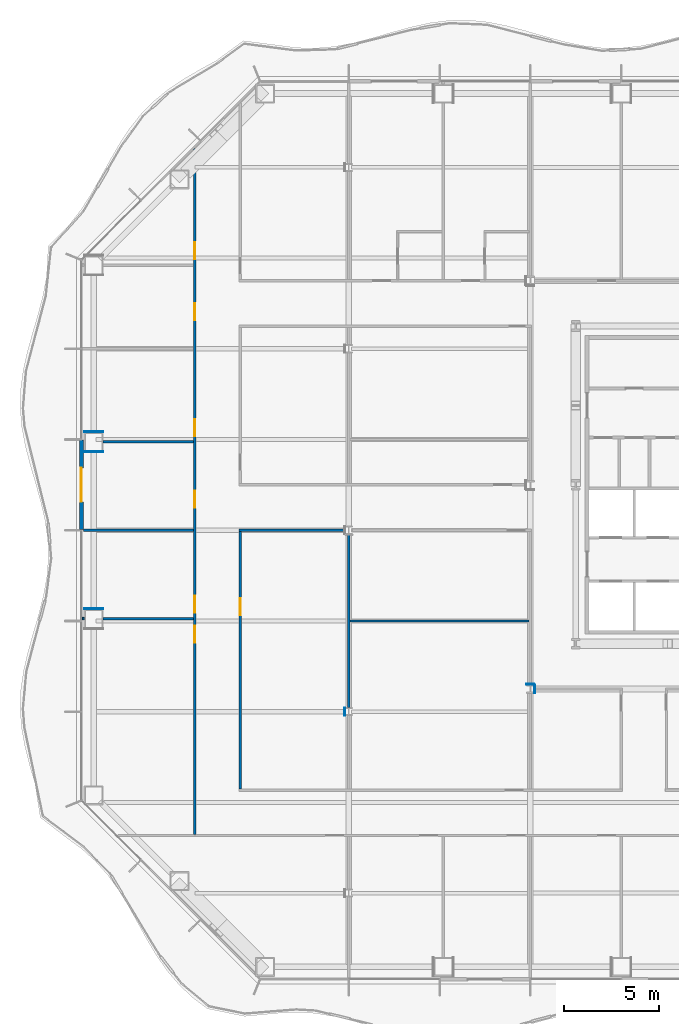
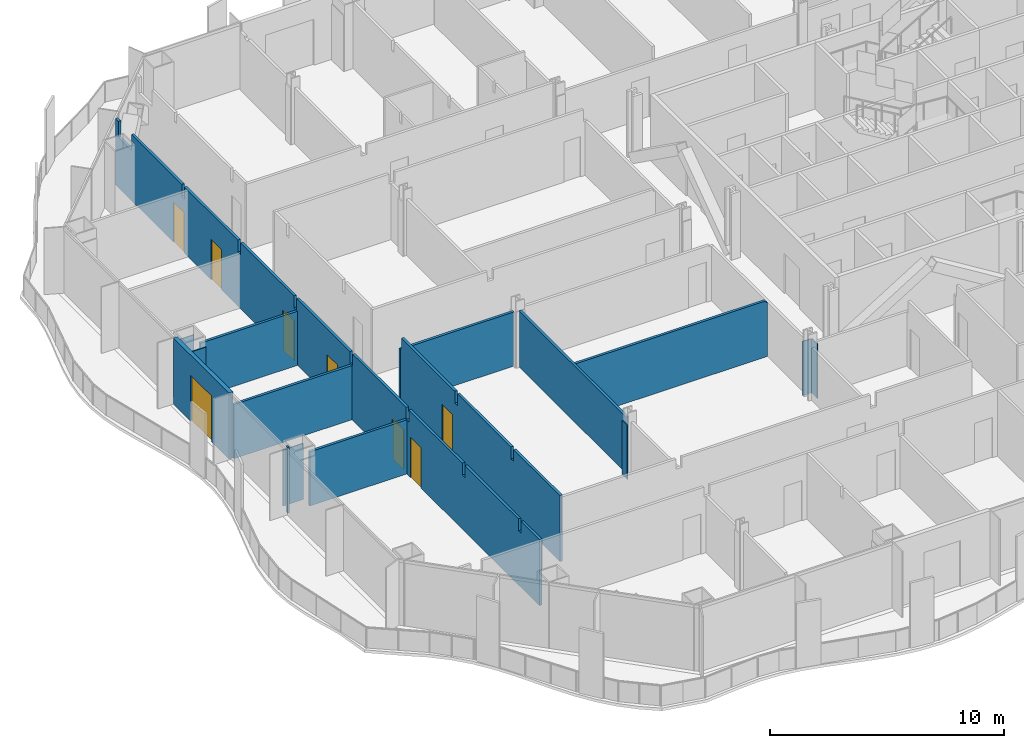
# One storey, part 7 of 20: 16 walls, 8 doors, 8 openings.
"""IFC4 building model written with IfcOpenShell, lengths in metres."""

from ifc_helpers import new_model, si_unit, direction, frame, frame_2d, origin, place, context, subcontext, project, spatial, polyline, rectangle, outline, extrude, material, layer, layer_set, type_object, element, fill, save


model = new_model("IFC4")

# Units and contexts
model_context = context("Model", 3, precision=1e-05, world=origin(), true_north=direction((0.0, 1.0)))
body_context = subcontext(model_context, "Body", "Model", "MODEL_VIEW")
ifc_project = project(units=[si_unit("LENGTHUNIT", "METRE"), si_unit("AREAUNIT", "SQUARE_METRE"), si_unit("VOLUMEUNIT", "CUBIC_METRE"), si_unit("PLANEANGLEUNIT", "RADIAN"), si_unit("MASSUNIT", "GRAM", prefix="KILO")], contexts=[model_context])

# Site, building, storey
site_placement = place(None, origin())
site = spatial("IfcSite", under=ifc_project, at=site_placement, CompositionType="ELEMENT")
building_placement = place(site_placement, origin())
building = spatial("IfcBuilding", under=site, at=building_placement, Name="Cairn Pilgrim Tower", CompositionType="ELEMENT")
storey_placement = place(building_placement, frame((0.0, 0.0, 61.800048828125)))
storey = spatial("IfcBuildingStorey", under=building, at=storey_placement, Name="L13", CompositionType="ELEMENT", Elevation=61.800048828125)

# Wall, opening, door
ifc_material_1 = material(Name="Bronze anodised aluminium insulated sandwich panel with mineral wool fill", Category="aluminium")
ifc_layer_1 = layer(ifc_material_1, 0.199951171875)
ifc_layer_set_1 = layer_set([ifc_layer_1], Name="BRONZE INFILL FRAME WALL 200")
wall_type_1 = type_object("IfcWallType", Name="BRONZE INFILL FRAME WALL 200", PredefinedType="NOTDEFINED", material=ifc_layer_set_1)
wall_1_placement = place(storey_placement, frame((-28.550048828125, 4.77001953125, 0.0), z_axis=(0.0, 0.0, 1.0), x_axis=(0.0, -1.0, 0.0)))
wall_1 = element("IfcWall", 1, at=wall_1_placement, inside=storey, type_object=wall_type_1, Name="Bronze infill frame wall IW-W3", PredefinedType="NOTDEFINED", context=body_context, shape_type="SweptSolid", body=[
    extrude(rectangle(XDim=4.739990234375, YDim=0.199951171875, at=frame_2d((2.3701171875, 0.0))), origin(), (0.0, 0.0, 1.0), 3.449951171875),
])
opening_1_placement = place(wall_1_placement, frame((1.469970703125, 0.0, 0.0)))
opening_1 = element("IfcOpeningElement", 2, at=opening_1_placement, cuts=wall_1, Name="Opening 1311B", PredefinedType="OPENING", context=body_context, shape_type="SweptSolid", body=[
    extrude(rectangle(XDim=1.800048828125, YDim=2.39990234375, at=frame_2d((0.89990234375, 1.199951171875))), frame((0.0, 0.10986328125, 0.0), z_axis=(0.0, -1.0, 0.0), x_axis=(1.0, 0.0, 0.0)), (0.0, 0.0, 1.0), 0.219970703125),
])
ifc_material_2 = material(Name="Bronze anodised aluminium frame with tinted low-E glass", Category="aluminium")
door_type_1 = type_object("IfcDoorType", Name="BALCONY SLIDING DOOR 1800x2400", OperationType="DOUBLE_DOOR_SLIDING", PredefinedType="DOOR", material=ifc_material_2)
door_1_placement = place(opening_1_placement, origin())
door_1 = element("IfcDoor", 3, at=door_1_placement, inside=storey, type_object=door_type_1, Name="Balcony sliding door 1311B", OperationType="SINGLE_SWING_LEFT", OverallHeight=2.39990234375, OverallWidth=1.800048828125, PredefinedType="DOOR", context=body_context, shape_type="SweptSolid", body=[
    extrude(rectangle(XDim=1.800048828125, YDim=2.39990234375, at=frame_2d((0.89990234375, 1.199951171875))), frame((0.0, 0.02490234375, 0.0), z_axis=(0.0, -1.0, 0.0), x_axis=(1.0, 0.0, 0.0)), (0.0, 0.0, 1.0), 0.050048828125),
])
fill(opening_1, door_1)

# Wall, openings, doors
ifc_material_3 = material(Name="Gypsum partition")
ifc_layer_2 = layer(ifc_material_3, 0.125)
ifc_layer_set_2 = layer_set([ifc_layer_2], Name="PARTITION 125 DRYWALL EI 60")
wall_type_2 = type_object("IfcWallType", Name="PARTITION 125 DRYWALL EI 60", PredefinedType="PARTITIONING", material=ifc_layer_set_2)
wall_2_placement = place(storey_placement, frame((-22.550048828125, -16.08740234375, 0.0), z_axis=(0.0, 0.0, 1.0), x_axis=(0.0, 1.0, 0.0)))
wall_2 = element("IfcWall", 4, at=wall_2_placement, inside=storey, type_object=wall_type_2, Name="PARTITION W013", PredefinedType="PARTITIONING", context=body_context, shape_type="SweptSolid", body=[
    extrude(outline(polyline([(0.0, 0.0), (36.276123046875, 0.0), (36.276123046875, 3.449951171875), (36.022216796875, 3.449951171875), (36.020263671875, 2.6298828125), (34.9072265625, 2.6298828125), (34.9052734375, 3.449951171875), (30.597412109375, 3.449951171875), (30.595458984375, 2.829833984375), (30.37744140625, 2.829833984375), (30.37548828125, 3.449951171875), (25.797607421875, 3.449951171875), (25.79541015625, 2.829833984375), (25.577392578125, 2.829833984375), (25.575439453125, 3.449951171875), (20.99755859375, 3.449951171875), (20.99560546875, 2.829833984375), (20.777587890625, 2.829833984375), (20.775390625, 3.449951171875), (16.197509765625, 3.449951171875), (16.195556640625, 2.829833984375), (15.9775390625, 2.829833984375), (15.9755859375, 3.449951171875), (11.3974609375, 3.449951171875), (11.3955078125, 2.829833984375), (11.177490234375, 2.829833984375), (11.175537109375, 3.449951171875), (6.597412109375, 3.449951171875), (6.595458984375, 2.829833984375), (6.37744140625, 2.829833984375), (6.37548828125, 3.449951171875), (1.797607421875, 3.449951171875), (1.79541015625, 2.829833984375), (1.577392578125, 2.829833984375), (1.575439453125, 3.449951171875), (0.0, 3.449951171875), (0.0, 0.0)])), frame((0.0, 0.0625, 0.0), z_axis=(0.0, -1.0, 0.0), x_axis=(1.0, 0.0, 0.0)), (0.0, 0.0, 1.0), 0.125),
])
opening_2_placement = place(wall_2_placement, frame((10.137451171875, 0.0, 0.0)))
opening_2 = element("IfcOpeningElement", 5, at=opening_2_placement, cuts=wall_2, Name="Opening 1309", PredefinedType="OPENING", context=body_context, shape_type="SweptSolid", body=[
    extrude(rectangle(XDim=0.89990234375, YDim=2.10009765625, at=frame_2d((0.449951171875, 1.050048828125))), frame((0.0, 0.072509765625, 0.0), z_axis=(0.0, -1.0, 0.0), x_axis=(1.0, 0.0, 0.0)), (0.0, 0.0, 1.0), 0.14501953125),
])
opening_3_placement = place(wall_2_placement, frame((11.71142578125, 0.0, 0.0)))
opening_3 = element("IfcOpeningElement", 6, at=opening_3_placement, cuts=wall_2, Name="Opening 1310", PredefinedType="OPENING", context=body_context, shape_type="SweptSolid", body=[
    extrude(rectangle(XDim=0.89990234375, YDim=2.10009765625, at=frame_2d((0.449951171875, 1.050048828125))), frame((0.0, 0.072509765625, 0.0), z_axis=(0.0, -1.0, 0.0), x_axis=(1.0, 0.0, 0.0)), (0.0, 0.0, 1.0), 0.14501953125),
])
opening_4_placement = place(wall_2_placement, frame((17.28759765625, 0.0, 0.0)))
opening_4 = element("IfcOpeningElement", 7, at=opening_4_placement, cuts=wall_2, Name="Opening 1311", PredefinedType="OPENING", context=body_context, shape_type="SweptSolid", body=[
    extrude(rectangle(XDim=0.89990234375, YDim=2.10009765625, at=frame_2d((0.449951171875, 1.050048828125))), frame((0.0, 0.072509765625, 0.0), z_axis=(0.0, -1.0, 0.0), x_axis=(1.0, 0.0, 0.0)), (0.0, 0.0, 1.0), 0.14501953125),
])
opening_5_placement = place(wall_2_placement, frame((21.0634765625, 0.0, 0.0)))
opening_5 = element("IfcOpeningElement", 8, at=opening_5_placement, cuts=wall_2, Name="Opening 1312", PredefinedType="OPENING", context=body_context, shape_type="SweptSolid", body=[
    extrude(rectangle(XDim=0.89990234375, YDim=2.10009765625, at=frame_2d((0.449951171875, 1.050048828125))), frame((0.0, 0.072509765625, 0.0), z_axis=(0.0, -1.0, 0.0), x_axis=(1.0, 0.0, 0.0)), (0.0, 0.0, 1.0), 0.14501953125),
])
opening_6_placement = place(wall_2_placement, frame((27.1875, 0.0, 0.0)))
opening_6 = element("IfcOpeningElement", 9, at=opening_6_placement, cuts=wall_2, Name="Opening 1313", PredefinedType="OPENING", context=body_context, shape_type="SweptSolid", body=[
    extrude(rectangle(XDim=0.89990234375, YDim=2.10009765625, at=frame_2d((0.449951171875, 1.050048828125))), frame((0.0, 0.072509765625, 0.0), z_axis=(0.0, -1.0, 0.0), x_axis=(1.0, 0.0, 0.0)), (0.0, 0.0, 1.0), 0.14501953125),
])
opening_7_placement = place(wall_2_placement, frame((30.41455078125, 0.0, 0.0)))
opening_7 = element("IfcOpeningElement", 10, at=opening_7_placement, cuts=wall_2, Name="Opening 1314", PredefinedType="OPENING", context=body_context, shape_type="SweptSolid", body=[
    extrude(rectangle(XDim=0.89990234375, YDim=2.10009765625, at=frame_2d((0.449951171875, 1.050048828125))), frame((0.0, 0.072509765625, 0.0), z_axis=(0.0, -1.0, 0.0), x_axis=(1.0, 0.0, 0.0)), (0.0, 0.0, 1.0), 0.14501953125),
])
ifc_material_4 = material(Name="Steel-faced fire door leaf", Category="steel")
door_type_2 = type_object("IfcDoorType", Name="FIRE DOOR 900x2100 FD30S", OperationType="NOTDEFINED", PredefinedType="DOOR", material=ifc_material_4)
door_2_placement = place(opening_2_placement, origin())
door_2 = element("IfcDoor", 11, at=door_2_placement, inside=storey, type_object=door_type_2, Name="DOOR 1309", OperationType="SINGLE_SWING_RIGHT", OverallHeight=2.10009765625, OverallWidth=0.89990234375, PredefinedType="DOOR", context=body_context, shape_type="SweptSolid", body=[
    extrude(rectangle(XDim=0.89990234375, YDim=2.10009765625, at=frame_2d((0.449951171875, 1.050048828125))), frame((0.0, 0.02490234375, 0.0), z_axis=(0.0, -1.0, 0.0), x_axis=(1.0, 0.0, 0.0)), (0.0, 0.0, 1.0), 0.050048828125),
])
fill(opening_2, door_2)
door_3_placement = place(opening_3_placement, origin())
door_3 = element("IfcDoor", 12, at=door_3_placement, inside=storey, type_object=door_type_2, Name="DOOR 1310", OperationType="SINGLE_SWING_LEFT", OverallHeight=2.10009765625, OverallWidth=0.89990234375, PredefinedType="DOOR", context=body_context, shape_type="SweptSolid", body=[
    extrude(rectangle(XDim=0.89990234375, YDim=2.10009765625, at=frame_2d((0.449951171875, 1.050048828125))), frame((0.0, 0.02490234375, 0.0), z_axis=(0.0, -1.0, 0.0), x_axis=(1.0, 0.0, 0.0)), (0.0, 0.0, 1.0), 0.050048828125),
])
fill(opening_3, door_3)
door_4_placement = place(opening_4_placement, origin())
door_4 = element("IfcDoor", 13, at=door_4_placement, inside=storey, type_object=door_type_2, Name="DOOR 1311", OperationType="SINGLE_SWING_RIGHT", OverallHeight=2.10009765625, OverallWidth=0.89990234375, PredefinedType="DOOR", context=body_context, shape_type="SweptSolid", body=[
    extrude(rectangle(XDim=0.89990234375, YDim=2.10009765625, at=frame_2d((0.449951171875, 1.050048828125))), frame((0.0, 0.02490234375, 0.0), z_axis=(0.0, -1.0, 0.0), x_axis=(1.0, 0.0, 0.0)), (0.0, 0.0, 1.0), 0.050048828125),
])
fill(opening_4, door_4)
door_5_placement = place(opening_5_placement, origin())
door_5 = element("IfcDoor", 14, at=door_5_placement, inside=storey, type_object=door_type_2, Name="DOOR 1312", OperationType="SINGLE_SWING_LEFT", OverallHeight=2.10009765625, OverallWidth=0.89990234375, PredefinedType="DOOR", context=body_context, shape_type="SweptSolid", body=[
    extrude(rectangle(XDim=0.89990234375, YDim=2.10009765625, at=frame_2d((0.449951171875, 1.050048828125))), frame((0.0, 0.02490234375, 0.0), z_axis=(0.0, -1.0, 0.0), x_axis=(1.0, 0.0, 0.0)), (0.0, 0.0, 1.0), 0.050048828125),
])
fill(opening_5, door_5)
door_6_placement = place(opening_6_placement, origin())
door_6 = element("IfcDoor", 15, at=door_6_placement, inside=storey, type_object=door_type_2, Name="DOOR 1313", OperationType="SINGLE_SWING_RIGHT", OverallHeight=2.10009765625, OverallWidth=0.89990234375, PredefinedType="DOOR", context=body_context, shape_type="SweptSolid", body=[
    extrude(rectangle(XDim=0.89990234375, YDim=2.10009765625, at=frame_2d((0.449951171875, 1.050048828125))), frame((0.0, 0.02490234375, 0.0), z_axis=(0.0, -1.0, 0.0), x_axis=(1.0, 0.0, 0.0)), (0.0, 0.0, 1.0), 0.050048828125),
])
fill(opening_6, door_6)
door_7_placement = place(opening_7_placement, origin())
door_7 = element("IfcDoor", 16, at=door_7_placement, inside=storey, type_object=door_type_2, Name="DOOR 1314", OperationType="SINGLE_SWING_LEFT", OverallHeight=2.10009765625, OverallWidth=0.89990234375, PredefinedType="DOOR", context=body_context, shape_type="SweptSolid", body=[
    extrude(rectangle(XDim=0.89990234375, YDim=2.10009765625, at=frame_2d((0.449951171875, 1.050048828125))), frame((0.0, 0.02490234375, 0.0), z_axis=(0.0, -1.0, 0.0), x_axis=(1.0, 0.0, 0.0)), (0.0, 0.0, 1.0), 0.050048828125),
])
fill(opening_7, door_7)

# Wall, opening, door
wall_3_placement = place(storey_placement, frame((-20.14990234375, -13.6875, 0.0), z_axis=(0.0, 0.0, 1.0), x_axis=(0.0, 1.0, 0.0)))
wall_3 = element("IfcWall", 17, at=wall_3_placement, inside=storey, type_object=wall_type_2, Name="PARTITION W017", PredefinedType="PARTITIONING", context=body_context, shape_type="SweptSolid", body=[
    extrude(outline(polyline([(0.0, 0.0), (13.625, 0.0), (13.625, 2.829833984375), (13.577392578125, 2.829833984375), (13.575439453125, 3.449951171875), (8.99755859375, 3.449951171875), (8.99560546875, 2.829833984375), (8.777587890625, 2.829833984375), (8.775390625, 3.449951171875), (4.197509765625, 3.449951171875), (4.195556640625, 2.829833984375), (3.9775390625, 2.829833984375), (3.9755859375, 3.449951171875), (0.0, 3.449951171875), (0.0, 0.0)])), frame((0.0, 0.0625, 0.0), z_axis=(0.0, -1.0, 0.0), x_axis=(1.0, 0.0, 0.0)), (0.0, 0.0, 1.0), 0.125),
])
opening_8_placement = place(wall_3_placement, frame((9.1875, 0.0, 0.0)))
opening_8 = element("IfcOpeningElement", 18, at=opening_8_placement, cuts=wall_3, Name="Opening 1333", PredefinedType="OPENING", context=body_context, shape_type="SweptSolid", body=[
    extrude(rectangle(XDim=0.89990234375, YDim=2.10009765625, at=frame_2d((0.449951171875, 1.050048828125))), frame((0.0, 0.072509765625, 0.0), z_axis=(0.0, -1.0, 0.0), x_axis=(1.0, 0.0, 0.0)), (0.0, 0.0, 1.0), 0.14501953125),
])
door_8_placement = place(opening_8_placement, frame((0.89990234375, 0.0, 0.0), z_axis=(0.0, 0.0, 1.0), x_axis=(-1.0, 0.0, 0.0)))
door_8 = element("IfcDoor", 19, at=door_8_placement, inside=storey, type_object=door_type_2, Name="DOOR 1333", OperationType="SINGLE_SWING_RIGHT", OverallHeight=2.10009765625, OverallWidth=0.89990234375, PredefinedType="DOOR", context=body_context, shape_type="SweptSolid", body=[
    extrude(rectangle(XDim=0.89990234375, YDim=2.10009765625, at=frame_2d((0.449951171875, 1.050048828125))), frame((0.0, 0.02490234375, 0.0), z_axis=(0.0, -1.0, 0.0), x_axis=(1.0, 0.0, 0.0)), (0.0, 0.0, 1.0), 0.050048828125),
])
fill(opening_8, door_8)

# Walls
wall_4_placement = place(storey_placement, frame((-14.39990234375, -9.387451171875, 0.0), z_axis=(0.0, 0.0, 1.0), x_axis=(0.0, 1.0, 0.0)))
element("IfcWall", 20, at=wall_4_placement, inside=storey, type_object=wall_type_2, Name="PARTITION W028", PredefinedType="PARTITIONING", context=body_context, shape_type="SweptSolid", body=[
    extrude(rectangle(XDim=9.175048828125, YDim=0.125, at=frame_2d((4.58740234375, 0.0))), origin(), (0.0, 0.0, 1.0), 2.929931640625),
])
wall_5_placement = place(storey_placement, frame((-14.33740234375, -4.800048828125, 0.0), z_axis=(0.0, 0.0, 1.0), x_axis=(1.0, 0.0, 0.0)))
element("IfcWall", 21, at=wall_5_placement, inside=storey, type_object=wall_type_2, Name="PARTITION W035", PredefinedType="PARTITIONING", context=body_context, shape_type="SweptSolid", body=[
    extrude(outline(polyline([(0.0, 0.0), (9.474853515625, 0.0), (9.47509765625, 2.829833984375), (9.387451171875, 2.829833984375), (9.385498046875, 2.929931640625), (0.0, 2.929931640625), (0.0, 0.0)])), frame((0.0, 0.0625, 0.0), z_axis=(0.0, -1.0, 0.0), x_axis=(1.0, 0.0, 0.0)), (0.0, 0.0, 1.0), 0.125),
])
wall_6_placement = place(storey_placement, frame((-28.5029296875, -4.676025390625, 0.0), z_axis=(0.0, 0.0, 1.0), x_axis=(1.0, 0.0, 0.0)))
element("IfcWall", 22, at=wall_6_placement, inside=storey, type_object=wall_type_2, Name="PARTITION W036", PredefinedType="PARTITIONING", context=body_context, shape_type="SweptSolid", body=[
    extrude(rectangle(XDim=0.10302734375, YDim=0.125, at=frame_2d((0.051513671875, 0.0))), origin(), (0.0, 0.0, 1.0), 3.449951171875),
])
wall_7_placement = place(storey_placement, frame((-27.39990234375, -4.676025390625, 0.0), z_axis=(0.0, 0.0, 1.0), x_axis=(1.0, 0.0, 0.0)))
element("IfcWall", 23, at=wall_7_placement, inside=storey, type_object=wall_type_2, Name="PARTITION W037", PredefinedType="PARTITIONING", context=body_context, shape_type="SweptSolid", body=[
    extrude(rectangle(XDim=4.787353515625, YDim=0.125, at=frame_2d((2.3935546875, 0.0))), origin(), (0.0, 0.0, 1.0), 2.829833984375),
])
wall_8_placement = place(storey_placement, frame((-28.449951171875, 0.0, 0.0), z_axis=(0.0, 0.0, 1.0), x_axis=(1.0, 0.0, 0.0)))
element("IfcWall", 24, at=wall_8_placement, inside=storey, type_object=wall_type_2, Name="PARTITION W042", PredefinedType="PARTITIONING", context=body_context, shape_type="SweptSolid", body=[
    extrude(rectangle(XDim=5.83740234375, YDim=0.125, at=frame_2d((2.918701171875, 0.0))), origin(), (0.0, 0.0, 1.0), 2.829833984375),
])
wall_9_placement = place(storey_placement, frame((-20.21240234375, 0.0, 0.0), z_axis=(0.0, 0.0, 1.0), x_axis=(1.0, 0.0, 0.0)))
element("IfcWall", 25, at=wall_9_placement, inside=storey, type_object=wall_type_2, Name="PARTITION W043", PredefinedType="PARTITIONING", context=body_context, shape_type="SweptSolid", body=[
    extrude(rectangle(XDim=5.60791015625, YDim=0.125, at=frame_2d((2.803955078125, 0.0))), origin(), (0.0, 0.0, 1.0), 2.829833984375),
])
wall_10_placement = place(storey_placement, frame((-27.39990234375, 4.676025390625, 0.0), z_axis=(0.0, 0.0, 1.0), x_axis=(1.0, 0.0, 0.0)))
element("IfcWall", 26, at=wall_10_placement, inside=storey, type_object=wall_type_2, Name="PARTITION W053", PredefinedType="PARTITIONING", context=body_context, shape_type="SweptSolid", body=[
    extrude(rectangle(XDim=4.787353515625, YDim=0.125, at=frame_2d((2.3935546875, 0.0))), origin(), (0.0, 0.0, 1.0), 2.829833984375),
])
ifc_layer_3 = layer(ifc_material_3, 0.050048828125)
ifc_layer_set_3 = layer_set([ifc_layer_3], Name="PARTITION 50 DRYWALL EI 60")
wall_type_3 = type_object("IfcWallType", Name="PARTITION 50 DRYWALL EI 60", PredefinedType="PARTITIONING", material=ifc_layer_set_3)
wall_11_placement = place(storey_placement, frame((-14.62939453125, -9.8125, 0.0), z_axis=(0.0, 0.0, 1.0), x_axis=(0.0, 1.0, 0.0)))
element("IfcWall", 27, at=wall_11_placement, inside=storey, type_object=wall_type_3, Name="COLUMN CASING WC12", PredefinedType="PARTITIONING", context=body_context, shape_type="SweptSolid", body=[
    extrude(rectangle(XDim=0.425048828125, YDim=0.050048828125, at=frame_2d((0.21240234375, 0.0))), origin(), (0.0, 0.0, 1.0), 2.829833984375),
])
wall_12_placement = place(storey_placement, frame((-4.56298828125, -8.636962890625, 0.0), z_axis=(0.0, 0.0, 1.0), x_axis=(0.0, 1.0, 0.0)))
element("IfcWall", 28, at=wall_12_placement, inside=storey, type_object=wall_type_3, Name="COLUMN CASING WC14", PredefinedType="PARTITIONING", context=body_context, shape_type="SweptSolid", body=[
    extrude(rectangle(XDim=0.473876953125, YDim=0.050048828125, at=frame_2d((0.23681640625, 0.0))), origin(), (0.0, 0.0, 1.0), 2.829833984375),
])
wall_13_placement = place(storey_placement, frame((-5.011962890625, -8.137939453125, 0.0), z_axis=(0.0, 0.0, 1.0), x_axis=(1.0, 0.0, 0.0)))
element("IfcWall", 29, at=wall_13_placement, inside=storey, type_object=wall_type_3, Name="COLUMN CASING WC15", PredefinedType="PARTITIONING", context=body_context, shape_type="SweptSolid", body=[
    extrude(rectangle(XDim=0.424072265625, YDim=0.050048828125, at=frame_2d((0.2119140625, 0.0))), origin(), (0.0, 0.0, 1.0), 2.829833984375),
])
for number, where, z_axis, x_axis, name in (
    (30, (-28.39990234375, -4.150634765625, 0.0), (0.0, 0.0, 1.0), (1.0, 0.0, 0.0), "COLUMN CASING WC17"),
    (31, (-28.39990234375, 5.20068359375, 0.0), (0.0, 0.0, 1.0), (1.0, 0.0, 0.0), "COLUMN CASING WC26"),
    (32, (-28.39990234375, 4.150634765625, 0.0), (0.0, 0.0, 1.0), (1.0, 0.0, 0.0), "COLUMN CASING WC27"),
):
    element("IfcWall", number, at=place(storey_placement, frame(where, z_axis=z_axis, x_axis=x_axis)), inside=storey, type_object=wall_type_3, Name=name, PredefinedType="PARTITIONING", context=body_context, shape_type="SweptSolid", body=[
        extrude(rectangle(XDim=1.0, YDim=0.050048828125, at=frame_2d((0.5, 0.0))), origin(), (0.0, 0.0, 1.0), 2.929931640625),
    ])

save(model, "model.ifc")
